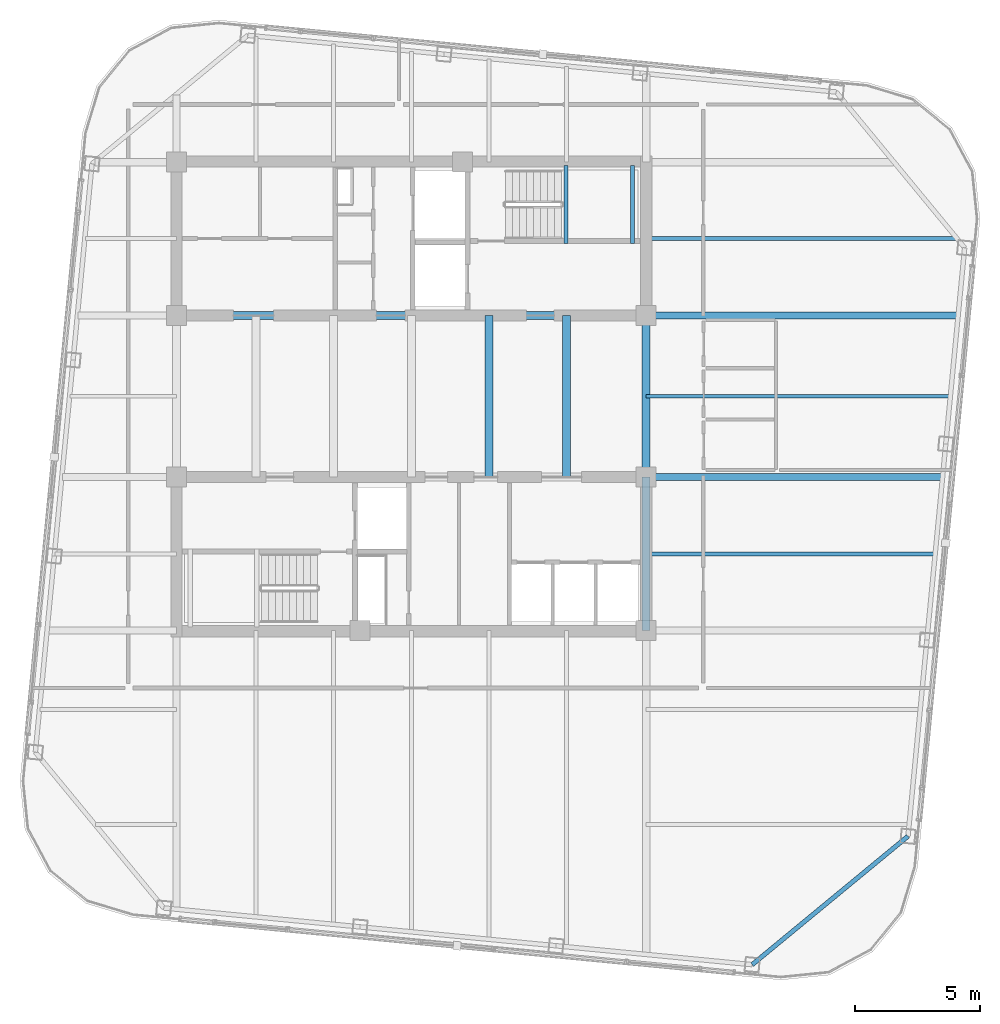
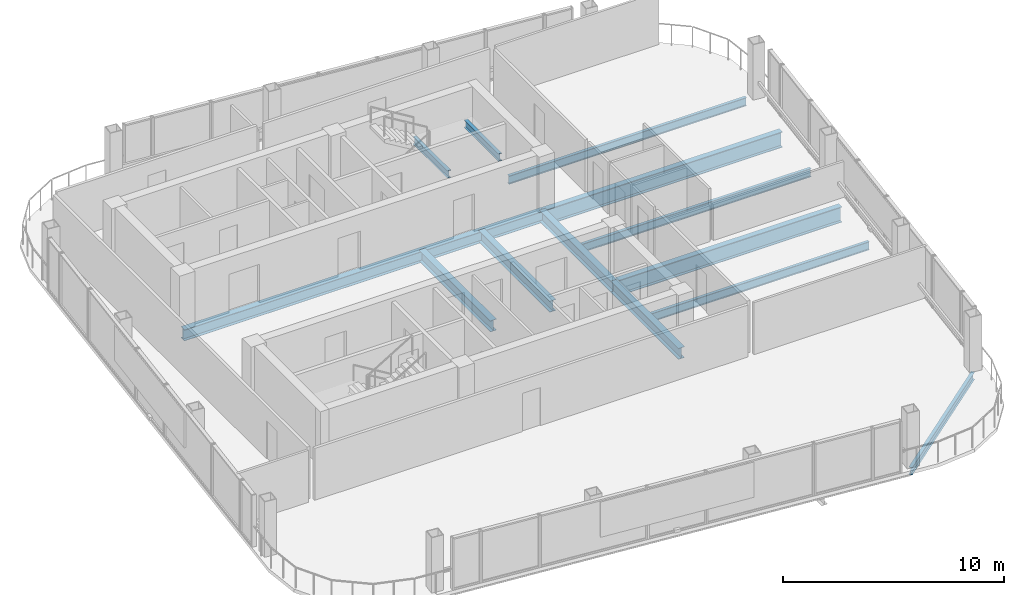
# One storey, part 12 of 26: 13 beams.
"""IFC4 building model written with IfcOpenShell, lengths in metres."""

from ifc_helpers import new_model, si_unit, direction, frame, origin, origin_2d, place, context, subcontext, project, spatial, i_section, extrude, material, material_profile, profile_set, type_object, element, save


model = new_model("IFC4")

# Units and contexts
model_context = context("Model", 3, precision=1e-05, world=origin(), true_north=direction((0.0, 1.0)))
body_context = subcontext(model_context, "Body", "Model", "MODEL_VIEW")
ifc_project = project(units=[si_unit("LENGTHUNIT", "METRE"), si_unit("AREAUNIT", "SQUARE_METRE"), si_unit("VOLUMEUNIT", "CUBIC_METRE"), si_unit("PLANEANGLEUNIT", "RADIAN"), si_unit("MASSUNIT", "GRAM", prefix="KILO")], contexts=[model_context])

# Site, building, storey
site_placement = place(None, origin())
site = spatial("IfcSite", under=ifc_project, at=site_placement, CompositionType="ELEMENT")
building_placement = place(site_placement, origin())
building = spatial("IfcBuilding", under=site, at=building_placement, Name="Qhalaya Broadcast Tower", CompositionType="ELEMENT")
storey_placement = place(building_placement, frame((0.0, 0.0, 248.949951171875)))
storey = spatial("IfcBuildingStorey", under=building, at=storey_placement, Name="L73", CompositionType="ELEMENT", Elevation=248.949951171875)

# Beams
ifc_material = material(Name="Structural Steel ASTM A992 Grade 50", Category="steel")
ifc_material_profile_1 = material_profile(ifc_material, i_section(OverallWidth=0.154052734375, OverallDepth=0.458984375, WebThickness=0.009033203125, FlangeThickness=0.015380859375, at=origin_2d()), Name="W18X46")
ifc_profile_set_1 = profile_set([ifc_material_profile_1], Name="Structural Steel ASTM A992 Grade 50")
beam_type_1 = type_object("IfcBeamType", Name="Composite Floor Joist J04", PredefinedType="JOIST", material=ifc_profile_set_1)
beam_1_placement = place(storey_placement, frame((9.375, -5.699951171875, -0.41943359375), z_axis=(1.0, 0.0, 0.0), x_axis=(0.0, 1.0, 0.0)))
element("IfcBeam", 1, at=beam_1_placement, inside=storey, type_object=beam_type_1, Name="L73 J04 L73-JWE3E-1", PredefinedType="JOIST", context=body_context, shape_type="SweptSolid", body=[
    extrude(i_section(OverallWidth=0.154052734375, OverallDepth=0.458984375, WebThickness=0.009033203125, FlangeThickness=0.015380859375, at=origin_2d()), origin(), (0.0, 0.0, 1.0), 11.517822265625),
])
beam_2_placement = place(storey_placement, frame((9.375, 0.60009765625, -0.41943359375), z_axis=(1.0, 0.0, 0.0), x_axis=(0.0, 1.0, 0.0)))
element("IfcBeam", 2, at=beam_2_placement, inside=storey, type_object=beam_type_1, Name="L73 J04 L73-JWE4E-1", PredefinedType="JOIST", context=body_context, shape_type="SweptSolid", body=[
    extrude(i_section(OverallWidth=0.154052734375, OverallDepth=0.458984375, WebThickness=0.009033203125, FlangeThickness=0.015380859375, at=origin_2d()), origin(), (0.0, 0.0, 1.0), 12.12451171875),
])
beam_3_placement = place(storey_placement, frame((9.375, 6.89990234375, -0.41943359375), z_axis=(1.0, 0.0, 0.0), x_axis=(0.0, 1.0, 0.0)))
element("IfcBeam", 3, at=beam_3_placement, inside=storey, type_object=beam_type_1, Name="L73 J04 L73-JWE5E-1", PredefinedType="JOIST", context=body_context, shape_type="SweptSolid", body=[
    extrude(i_section(OverallWidth=0.154052734375, OverallDepth=0.458984375, WebThickness=0.009033203125, FlangeThickness=0.015380859375, at=origin_2d()), origin(), (0.0, 0.0, 1.0), 12.38330078125),
])
ifc_material_profile_2 = material_profile(ifc_material, i_section(OverallWidth=0.323974609375, OverallDepth=0.612060546875, WebThickness=0.0126953125, FlangeThickness=0.01904296875, at=origin_2d()), Name="W24X104")
ifc_profile_set_2 = profile_set([ifc_material_profile_2], Name="Structural Steel ASTM A992 Grade 50")
beam_type_2 = type_object("IfcBeamType", Name="Core Frame Tie Beam B04", PredefinedType="BEAM", material=ifc_profile_set_2)
beam_4_placement = place(storey_placement, frame((-9.375, 3.824951171875, -0.495849609375), z_axis=(1.0, 0.0, 0.0), x_axis=(0.0, 1.0, 0.0)))
element("IfcBeam", 4, at=beam_4_placement, inside=storey, type_object=beam_type_2, Name="L73 B04 L73-CCN1", PredefinedType="BEAM", context=body_context, shape_type="SweptSolid", body=[
    extrude(i_section(OverallWidth=0.323974609375, OverallDepth=0.612060546875, WebThickness=0.0126953125, FlangeThickness=0.01904296875, at=origin_2d()), origin(), (0.0, 0.0, 1.0), 18.75),
])
beam_5_placement = place(storey_placement, frame((9.375, -8.75, -0.495849609375), z_axis=(0.0, 1.0, 0.0), x_axis=(-1.0, 0.0, 0.0)))
element("IfcBeam", 5, at=beam_5_placement, inside=storey, type_object=beam_type_2, Name="L73 B04 L73-CCS2", PredefinedType="BEAM", context=body_context, shape_type="SweptSolid", body=[
    extrude(i_section(OverallWidth=0.323974609375, OverallDepth=0.612060546875, WebThickness=0.0126953125, FlangeThickness=0.01904296875, at=origin_2d()), origin(), (0.0, 0.0, 1.0), 6.125),
])
for number, where, z_axis, x_axis, name in (
    (6, (9.375, -2.625, -0.495849609375), (0.0, 1.0, 0.0), (-1.0, 0.0, 0.0), "L73 B04 L73-CCE"),
    (7, (3.10009765625, -2.625, -0.495849609375), (0.0, 1.0, 0.0), (-1.0, 0.0, 0.0), "L73 B04 L73-JC4-1"),
    (8, (6.199951171875, -2.625, -0.495849609375), (0.0, 1.0, 0.0), (-1.0, 0.0, 0.0), "L73 B04 L73-JC5-1"),
):
    element("IfcBeam", number, at=place(storey_placement, frame(where, z_axis=z_axis, x_axis=x_axis)), inside=storey, type_object=beam_type_2, Name=name, PredefinedType="BEAM", context=body_context, shape_type="SweptSolid", body=[
        extrude(i_section(OverallWidth=0.323974609375, OverallDepth=0.612060546875, WebThickness=0.0126953125, FlangeThickness=0.01904296875, at=origin_2d()), origin(), (0.0, 0.0, 1.0), 6.449951171875),
    ])
ifc_material_profile_3 = material_profile(ifc_material, i_section(OverallWidth=0.2919921875, OverallDepth=0.85888671875, WebThickness=0.01708984375, FlangeThickness=0.031005859375, at=origin_2d()), Name="W33X169")
ifc_profile_set_3 = profile_set([ifc_material_profile_3], Name="Structural Steel ASTM A992 Grade 50")
beam_type_3 = type_object("IfcBeamType", Name="Upper Block Primary Girder PG4", PredefinedType="USERDEFINED", material=ifc_profile_set_3)
beam_6_placement = place(storey_placement, frame((9.375, -2.625, -0.619384765625), z_axis=(1.0, 0.0, 0.0), x_axis=(0.0, 1.0, 0.0)))
element("IfcBeam", 9, at=beam_6_placement, inside=storey, type_object=beam_type_3, Name="L73 PG4 L73-PGYE2-1", ObjectType="GIRDER", PredefinedType="USERDEFINED", context=body_context, shape_type="SweptSolid", body=[
    extrude(i_section(OverallWidth=0.2919921875, OverallDepth=0.85888671875, WebThickness=0.01708984375, FlangeThickness=0.031005859375, at=origin_2d()), origin(), (0.0, 0.0, 1.0), 11.81396484375),
])
beam_7_placement = place(storey_placement, frame((9.375, 3.824951171875, -0.619384765625), z_axis=(1.0, 0.0, 0.0), x_axis=(0.0, 1.0, 0.0)))
element("IfcBeam", 10, at=beam_7_placement, inside=storey, type_object=beam_type_3, Name="L73 PG4 L73-PGYE3-1", ObjectType="GIRDER", PredefinedType="USERDEFINED", context=body_context, shape_type="SweptSolid", body=[
    extrude(i_section(OverallWidth=0.2919921875, OverallDepth=0.85888671875, WebThickness=0.01708984375, FlangeThickness=0.031005859375, at=origin_2d()), origin(), (0.0, 0.0, 1.0), 12.43505859375),
])
ifc_material_profile_4 = material_profile(ifc_material, i_section(OverallWidth=0.177978515625, OverallDepth=0.406005859375, WebThickness=0.0078125, FlangeThickness=0.0126953125, at=origin_2d()), Name="W16X40")
ifc_profile_set_4 = profile_set([ifc_material_profile_4], Name="Structural Steel ASTM A992 Grade 50")
beam_type_4 = type_object("IfcBeamType", Name="Upper Perimeter Spandrel Beam SP2", PredefinedType="SPANDREL", material=ifc_profile_set_4)
beam_8_placement = place(storey_placement, frame((13.6083984375, -22.09033203125, -0.39306640625), z_axis=(0.771631160126, 0.636070241972, 0.0), x_axis=(-0.636070241972, 0.771631160126, 0.0)))
element("IfcBeam", 11, at=beam_8_placement, inside=storey, type_object=beam_type_4, Name="L73 SP2 L73-SPR-04", PredefinedType="SPANDREL", context=body_context, shape_type="SweptSolid", body=[
    extrude(i_section(OverallWidth=0.177978515625, OverallDepth=0.406005859375, WebThickness=0.0078125, FlangeThickness=0.0126953125, at=origin_2d()), origin(), (0.0, 0.0, 1.0), 8.06103515625),
])
for number, where, z_axis, x_axis, name in (
    (12, (6.175048828125, 6.699951171875, 1.1220703125), (0.0, 1.0, 0.0), (-1.0, 0.0, 0.0), "L73 ST-1 Half-Landing Bearer Beam 1"),
    (13, (8.830078125, 6.699951171875, 1.1220703125), (0.0, 1.0, 0.0), (-1.0, 0.0, 0.0), "L73 ST-1 Half-Landing Bearer Beam 2"),
):
    element("IfcBeam", number, at=place(storey_placement, frame(where, z_axis=z_axis, x_axis=x_axis)), inside=storey, type_object=beam_type_4, Name=name, PredefinedType="SPANDREL", context=body_context, shape_type="SweptSolid", body=[
        extrude(i_section(OverallWidth=0.177978515625, OverallDepth=0.406005859375, WebThickness=0.0078125, FlangeThickness=0.0126953125, at=origin_2d()), origin(), (0.0, 0.0, 1.0), 3.1201171875),
    ])

save(model, "model.ifc")
